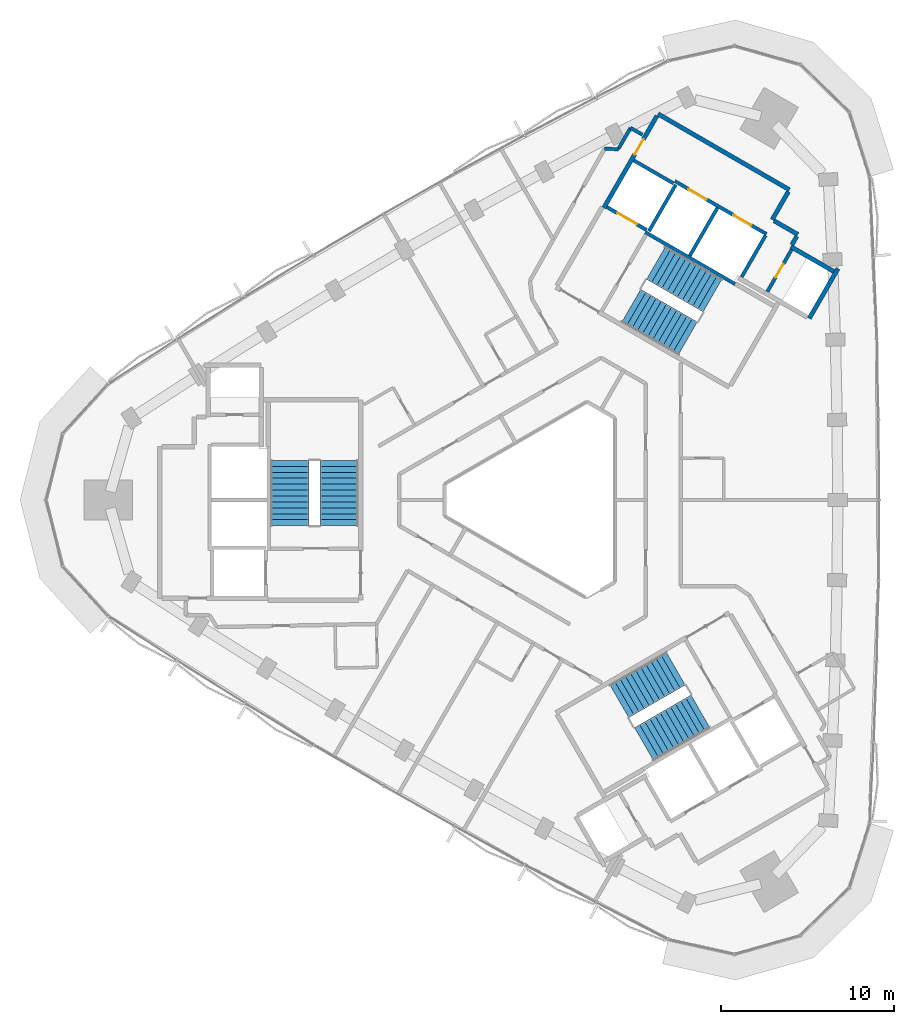
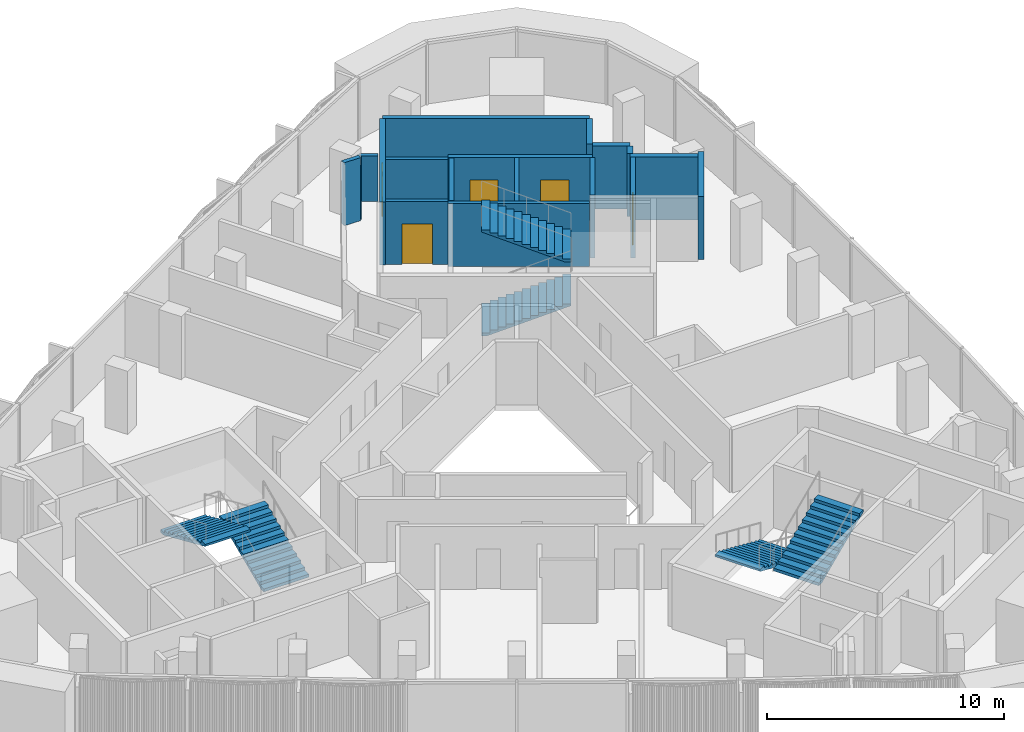
# One storey, part 11 of 16: 18 walls, 6 stair flights, 5 doors, 5 openings, 3 elements without a shape of their own.
"""IFC4 building model written with IfcOpenShell, lengths in metres."""

from ifc_helpers import new_model, si_unit, direction, frame, frame_2d, origin, place, context, subcontext, project, spatial, polyline, rectangle, outline, extrude, material, layer, layer_set, type_object, element, fill, aggregate, save


model = new_model("IFC4")

# Units and contexts
model_context = context("Model", 3, precision=1e-05, world=origin(), true_north=direction((0.0, 1.0)))
body_context = subcontext(model_context, "Body", "Model", "MODEL_VIEW")
ifc_project = project(units=[si_unit("LENGTHUNIT", "METRE"), si_unit("AREAUNIT", "SQUARE_METRE"), si_unit("VOLUMEUNIT", "CUBIC_METRE"), si_unit("PLANEANGLEUNIT", "RADIAN"), si_unit("MASSUNIT", "GRAM", prefix="KILO")], contexts=[model_context])

# Site, building, storey
site_placement = place(None, origin())
site = spatial("IfcSite", under=ifc_project, at=site_placement, CompositionType="ELEMENT")
building_placement = place(site_placement, origin())
building = spatial("IfcBuilding", under=site, at=building_placement, Name="Tamra Quay Hotel Tower", CompositionType="ELEMENT")
storey_placement = place(building_placement, frame((0.0, 0.0, 239.39990234375)))
storey = spatial("IfcBuildingStorey", under=building, at=storey_placement, Name="L60", CompositionType="ELEMENT", Elevation=239.39990234375)

# Wall, openings, doors
ifc_material_1 = material(Name="Concrete M70", Category="concrete")
ifc_layer_1 = layer(ifc_material_1, 0.199951171875)
ifc_layer_set_1 = layer_set([ifc_layer_1], Name="Concrete M70 core wall 200")
wall_type_1 = type_object("IfcWallType", Name="Concrete M70 core wall 200", PredefinedType="SHEAR", material=ifc_layer_set_1)
wall_1_placement = place(storey_placement, frame((12.552490234375, 15.341552734375, 0.0), z_axis=(0.0, 0.0, 1.0), x_axis=(-0.866030299012, 0.499991521122, 0.0)))
wall_1 = element("IfcWall", 1, at=wall_1_placement, inside=storey, type_object=wall_type_1, Name="CW2", PredefinedType="SHEAR", context=body_context, shape_type="SweptSolid", body=[
    extrude(rectangle(XDim=6.10009765625, YDim=0.199951171875, at=frame_2d((3.050048828125, 0.0))), origin(), (0.0, 0.0, 1.0), 3.25),
])
opening_1_placement = place(wall_1_placement, frame((1.0, 0.0, 0.0)))
opening_1 = element("IfcOpeningElement", 2, at=opening_1_placement, cuts=wall_1, Name="Opening LD", PredefinedType="OPENING", context=body_context, shape_type="SweptSolid", body=[
    extrude(rectangle(XDim=1.199951171875, YDim=2.10009765625, at=frame_2d((0.60009765625, 1.050048828125))), frame((0.0, 0.10986328125, 0.0), z_axis=(0.0, -1.0, 0.0), x_axis=(1.0, 0.0, 0.0)), (0.0, 0.0, 1.0), 0.219970703125),
])
opening_2_placement = place(wall_1_placement, frame((3.982177734375, 0.0, 0.0)))
opening_2 = element("IfcOpeningElement", 3, at=opening_2_placement, cuts=wall_1, Name="Opening LD", PredefinedType="OPENING", context=body_context, shape_type="SweptSolid", body=[
    extrude(rectangle(XDim=1.199951171875, YDim=2.10009765625, at=frame_2d((0.60009765625, 1.050048828125))), frame((0.0, 0.10986328125, 0.0), z_axis=(0.0, -1.0, 0.0), x_axis=(1.0, 0.0, 0.0)), (0.0, 0.0, 1.0), 0.219970703125),
])
ifc_material_2 = material(Name="Landing door LD 1200 double door sliding")
door_type_1 = type_object("IfcDoorType", Name="Landing door LD 1200 double door sliding", OperationType="DOUBLE_DOOR_SLIDING", PredefinedType="DOOR", material=ifc_material_2)
door_1_placement = place(opening_1_placement, origin())
door_1 = element("IfcDoor", 4, at=door_1_placement, inside=storey, type_object=door_type_1, Name="LD", OperationType="DOUBLE_DOOR_SLIDING", OverallHeight=2.10009765625, OverallWidth=1.199951171875, PredefinedType="DOOR", context=body_context, shape_type="SweptSolid", body=[
    extrude(rectangle(XDim=1.199951171875, YDim=2.10009765625, at=frame_2d((0.60009765625, 1.050048828125))), frame((0.0, 0.02490234375, 0.0), z_axis=(0.0, -1.0, 0.0), x_axis=(1.0, 0.0, 0.0)), (0.0, 0.0, 1.0), 0.050048828125),
])
fill(opening_1, door_1)
door_2_placement = place(opening_2_placement, origin())
door_2 = element("IfcDoor", 5, at=door_2_placement, inside=storey, type_object=door_type_1, Name="LD", OperationType="DOUBLE_DOOR_SLIDING", OverallHeight=2.10009765625, OverallWidth=1.199951171875, PredefinedType="DOOR", context=body_context, shape_type="SweptSolid", body=[
    extrude(rectangle(XDim=1.199951171875, YDim=2.10009765625, at=frame_2d((0.60009765625, 1.050048828125))), frame((0.0, 0.02490234375, 0.0), z_axis=(0.0, -1.0, 0.0), x_axis=(1.0, 0.0, 0.0)), (0.0, 0.0, 1.0), 0.050048828125),
])
fill(opening_2, door_2)

# Walls
wall_2_placement = place(storey_placement, frame((10.7431640625, 12.4599609375, 0.0), z_axis=(0.0, 0.0, 1.0), x_axis=(-0.866018848283, 0.500011354289, 0.0)))
element("IfcWall", 6, at=wall_2_placement, inside=storey, type_object=wall_type_1, Name="CW2", PredefinedType="SHEAR", context=body_context, shape_type="SweptSolid", body=[
    extrude(rectangle(XDim=5.973876953125, YDim=0.199951171875, at=frame_2d((2.98681640625, 0.0))), origin(), (0.0, 0.0, 1.0), 3.25),
])
wall_3_placement = place(storey_placement, frame((8.131591796875, 14.08447265625, 0.0), z_axis=(0.0, 0.0, 1.0), x_axis=(0.500030834389, 0.86600760081, 0.0)))
element("IfcWall", 7, at=wall_3_placement, inside=storey, type_object=wall_type_1, Name="CW2", PredefinedType="SHEAR", context=body_context, shape_type="SweptSolid", body=[
    extrude(rectangle(XDim=3.197998046875, YDim=0.199951171875, at=frame_2d((1.59912109375, 0.0))), origin(), (0.0, 0.0, 1.0), 3.25),
])

# Wall, opening, door
wall_4_placement = place(storey_placement, frame((14.0078125, 14.442138671875, 0.0), z_axis=(0.0, 0.0, 1.0), x_axis=(-0.499986818241, -0.866033014143, 0.0)))
wall_4 = element("IfcWall", 8, at=wall_4_placement, inside=storey, type_object=wall_type_1, Name="CW2", PredefinedType="SHEAR", context=body_context, shape_type="SweptSolid", body=[
    extrude(rectangle(XDim=2.7978515625, YDim=0.199951171875, at=frame_2d((1.39892578125, 0.0))), origin(), (0.0, 0.0, 1.0), 3.25),
])
opening_3_placement = place(wall_4_placement, frame((0.948974609375, 0.0, 0.0)))
opening_3 = element("IfcOpeningElement", 9, at=opening_3_placement, cuts=wall_4, Name="Opening D1", PredefinedType="OPENING", context=body_context, shape_type="SweptSolid", body=[
    extrude(rectangle(XDim=0.89990234375, YDim=2.10009765625, at=frame_2d((0.449951171875, 1.050048828125))), frame((0.0, 0.10986328125, 0.0), z_axis=(0.0, -1.0, 0.0), x_axis=(1.0, 0.0, 0.0)), (0.0, 0.0, 1.0), 0.219970703125),
])
ifc_material_3 = material(Name="Core door D1 900x2100 RH")
door_type_2 = type_object("IfcDoorType", Name="Core door D1 900x2100 RH", OperationType="NOTDEFINED", PredefinedType="DOOR", material=ifc_material_3)
door_3_placement = place(opening_3_placement, origin())
door_3 = element("IfcDoor", 10, at=door_3_placement, inside=storey, type_object=door_type_2, Name="D1", OperationType="SINGLE_SWING_RIGHT", OverallHeight=2.10009765625, OverallWidth=0.89990234375, PredefinedType="DOOR", context=body_context, shape_type="SweptSolid", body=[
    extrude(rectangle(XDim=0.89990234375, YDim=2.10009765625, at=frame_2d((0.449951171875, 1.050048828125))), frame((0.0, 0.02490234375, 0.0), z_axis=(0.0, -1.0, 0.0), x_axis=(1.0, 0.0, 0.0)), (0.0, 0.0, 1.0), 0.050048828125),
])
fill(opening_3, door_3)

# Walls
wall_5_placement = place(storey_placement, frame((12.50244140625, 15.2548828125, 0.0), z_axis=(0.0, 0.0, 1.0), x_axis=(-0.499965018551, -0.866045599391, 0.0)))
element("IfcWall", 11, at=wall_5_placement, inside=storey, type_object=wall_type_1, Name="CW2", PredefinedType="SHEAR", context=body_context, shape_type="SweptSolid", body=[
    extrude(rectangle(XDim=2.759033203125, YDim=0.199951171875, at=frame_2d((1.37939453125, 0.0))), origin(), (0.0, 0.0, 1.0), 3.25),
])
wall_6_placement = place(storey_placement, frame((7.324462890625, 18.1865234375, 0.0), z_axis=(0.0, 0.0, 1.0), x_axis=(-0.499967891604, -0.866043940782, 0.0)))
element("IfcWall", 12, at=wall_6_placement, inside=storey, type_object=wall_type_1, Name="CW2", PredefinedType="SHEAR", context=body_context, shape_type="SweptSolid", body=[
    extrude(rectangle(XDim=3.099853515625, YDim=0.199951171875, at=frame_2d((1.5498046875, 0.0))), origin(), (0.0, 0.0, 1.0), 3.25),
])

# Wall, opening, door
wall_7_placement = place(storey_placement, frame((5.646240234375, 15.575927734375, 0.0), z_axis=(0.0, 0.0, 1.0), x_axis=(-0.866018407898, 0.500012117035, 0.0)))
wall_7 = element("IfcWall", 13, at=wall_7_placement, inside=storey, type_object=wall_type_1, Name="CW2", PredefinedType="SHEAR", context=body_context, shape_type="SweptSolid", body=[
    extrude(rectangle(XDim=2.65087890625, YDim=0.199951171875, at=frame_2d((1.325439453125, 0.0))), origin(), (0.0, 0.0, 1.0), 3.25),
])
opening_4_placement = place(wall_7_placement, frame((0.65185546875, 0.0, 0.0)))
opening_4 = element("IfcOpeningElement", 14, at=opening_4_placement, cuts=wall_7, Name="Opening LD", PredefinedType="OPENING", context=body_context, shape_type="SweptSolid", body=[
    extrude(rectangle(XDim=1.300048828125, YDim=2.10009765625, at=frame_2d((0.64990234375, 1.050048828125))), frame((0.0, 0.10986328125, 0.0), z_axis=(0.0, -1.0, 0.0), x_axis=(1.0, 0.0, 0.0)), (0.0, 0.0, 1.0), 0.219970703125),
])
ifc_material_4 = material(Name="Landing door LD 1300 sliding to left")
door_type_3 = type_object("IfcDoorType", Name="Landing door LD 1300 sliding to left", OperationType="NOTDEFINED", PredefinedType="DOOR", material=ifc_material_4)
door_4_placement = place(opening_4_placement, origin())
door_4 = element("IfcDoor", 15, at=door_4_placement, inside=storey, type_object=door_type_3, Name="LD", OperationType="SLIDING_TO_LEFT", OverallHeight=2.10009765625, OverallWidth=1.300048828125, PredefinedType="DOOR", context=body_context, shape_type="SweptSolid", body=[
    extrude(rectangle(XDim=1.300048828125, YDim=2.10009765625, at=frame_2d((0.64990234375, 1.050048828125))), frame((0.0, 0.02490234375, 0.0), z_axis=(0.0, -1.0, 0.0), x_axis=(1.0, 0.0, 0.0)), (0.0, 0.0, 1.0), 0.050048828125),
])
fill(opening_4, door_4)

# Walls
wall_8_placement = place(storey_placement, frame((7.1962890625, 18.260498046875, 0.0), z_axis=(0.0, 0.0, 1.0), x_axis=(-0.866018407898, 0.500012117035, 0.0)))
element("IfcWall", 16, at=wall_8_placement, inside=storey, type_object=wall_type_1, Name="CW2", PredefinedType="SHEAR", context=body_context, shape_type="SweptSolid", body=[
    extrude(rectangle(XDim=2.65087890625, YDim=0.199951171875, at=frame_2d((1.325439453125, 0.0))), origin(), (0.0, 0.0, 1.0), 3.25),
])
ifc_layer_2 = layer(ifc_material_1, 0.25)
ifc_layer_set_2 = layer_set([ifc_layer_2], Name="Concrete M70 core wall 250")
wall_type_2 = type_object("IfcWallType", Name="Concrete M70 core wall 250", PredefinedType="SHEAR", material=ifc_layer_set_2)
wall_9_placement = place(storey_placement, frame((6.303955078125, 22.268798828125, 0.0), z_axis=(0.0, 0.0, 1.0), x_axis=(0.866022959057, -0.500004234368, 0.0)))
element("IfcWall", 17, at=wall_9_placement, inside=storey, type_object=wall_type_2, Name="CW1", PredefinedType="SHEAR", context=body_context, shape_type="SweptSolid", body=[
    extrude(rectangle(XDim=8.75, YDim=0.25, at=frame_2d((4.375, 0.0))), origin(), (0.0, 0.0, 1.0), 3.25),
])

# Wall, opening, door
wall_10_placement = place(storey_placement, frame((3.178955078125, 16.856201171875, 0.0), z_axis=(0.0, 0.0, 1.0), x_axis=(0.500001955336, 0.866024274868, 0.0)))
wall_10 = element("IfcWall", 18, at=wall_10_placement, inside=storey, type_object=wall_type_2, Name="CW1", PredefinedType="SHEAR", context=body_context, shape_type="SweptSolid", body=[
    extrude(rectangle(XDim=6.12451171875, YDim=0.25, at=frame_2d((3.062255859375, 0.0))), origin(), (0.0, 0.0, 1.0), 3.25),
])
opening_5_placement = place(wall_10_placement, frame((3.562744140625, 0.0, 0.0)))
opening_5 = element("IfcOpeningElement", 19, at=opening_5_placement, cuts=wall_10, Name="Opening FD3", PredefinedType="OPENING", context=body_context, shape_type="SweptSolid", body=[
    extrude(rectangle(XDim=1.0, YDim=2.10009765625, at=frame_2d((0.5, 1.050048828125))), frame((0.0, 0.135009765625, 0.0), z_axis=(0.0, -1.0, 0.0), x_axis=(1.0, 0.0, 0.0)), (0.0, 0.0, 1.0), 0.27001953125),
])
ifc_material_5 = material(Name="Core door FD3 1000x2100 LH")
door_type_4 = type_object("IfcDoorType", Name="Core door FD3 1000x2100 LH", OperationType="NOTDEFINED", PredefinedType="DOOR", material=ifc_material_5)
door_5_placement = place(opening_5_placement, origin())
door_5 = element("IfcDoor", 20, at=door_5_placement, inside=storey, type_object=door_type_4, Name="FD3", OperationType="SINGLE_SWING_LEFT", OverallHeight=2.10009765625, OverallWidth=1.0, PredefinedType="DOOR", context=body_context, shape_type="SweptSolid", body=[
    extrude(rectangle(XDim=1.0, YDim=2.10009765625, at=frame_2d((0.5, 1.050048828125))), frame((0.0, 0.02490234375, 0.0), z_axis=(0.0, -1.0, 0.0), x_axis=(1.0, 0.0, 0.0)), (0.0, 0.0, 1.0), 0.050048828125),
])
fill(opening_5, door_5)

# Walls
wall_11_placement = place(storey_placement, frame((16.68359375, 13.3466796875, 0.0), z_axis=(0.0, 0.0, 1.0), x_axis=(-0.499998874531, -0.866026053573, 0.0)))
element("IfcWall", 21, at=wall_11_placement, inside=storey, type_object=wall_type_2, Name="CW1", PredefinedType="SHEAR", context=body_context, shape_type="SweptSolid", body=[
    extrude(rectangle(XDim=3.31298828125, YDim=0.25, at=frame_2d((1.656494140625, 0.0))), origin(), (0.0, 0.0, 1.0), 3.25),
])
wall_12_placement = place(storey_placement, frame((13.962646484375, 14.61376953125, 0.0), z_axis=(0.0, 0.0, 1.0), x_axis=(0.866042235819, -0.499970844928, 0.0)))
element("IfcWall", 22, at=wall_12_placement, inside=storey, type_object=wall_type_2, Name="CW1", PredefinedType="SHEAR", context=body_context, shape_type="SweptSolid", body=[
    extrude(rectangle(XDim=2.864501953125, YDim=0.25, at=frame_2d((1.43212890625, 0.0))), origin(), (0.0, 0.0, 1.0), 3.25),
])
wall_13_placement = place(storey_placement, frame((13.819091796875, 17.78515625, 0.0), z_axis=(0.0, 0.0, 1.0), x_axis=(-0.500039802285, -0.866002422705, 0.0)))
element("IfcWall", 23, at=wall_13_placement, inside=storey, type_object=wall_type_2, Name="CW1", PredefinedType="SHEAR", context=body_context, shape_type="SweptSolid", body=[
    extrude(rectangle(XDim=1.864501953125, YDim=0.25, at=frame_2d((0.93212890625, 0.0))), origin(), (0.0, 0.0, 1.0), 3.25),
])
wall_14_placement = place(storey_placement, frame((12.995361328125, 16.107666015625, 0.0), z_axis=(0.0, 0.0, 1.0), x_axis=(0.866044474677, -0.49996696679, 0.0)))
element("IfcWall", 24, at=wall_14_placement, inside=storey, type_object=wall_type_2, Name="CW1", PredefinedType="SHEAR", context=body_context, shape_type="SweptSolid", body=[
    extrude(rectangle(XDim=1.58447265625, YDim=0.25, at=frame_2d((0.792236328125, 0.0))), origin(), (0.0, 0.0, 1.0), 3.25),
])
wall_15_placement = place(storey_placement, frame((14.304931640625, 15.206787109375, 0.0), z_axis=(0.0, 0.0, 1.0), x_axis=(-0.499848422343, -0.866112899501, 0.0)))
element("IfcWall", 25, at=wall_15_placement, inside=storey, type_object=wall_type_2, Name="CW1", PredefinedType="SHEAR", context=body_context, shape_type="SweptSolid", body=[
    extrude(rectangle(XDim=0.559326171875, YDim=0.25, at=frame_2d((0.27978515625, 0.0))), origin(), (0.0, 0.0, 1.0), 3.25),
])
ifc_material_6 = material(Name="Partition corridor wall")
ifc_layer_3 = layer(ifc_material_6, 0.199951171875)
ifc_layer_set_3 = layer_set([ifc_layer_3], Name="Partition corridor wall")
wall_type_3 = type_object("IfcWallType", Name="Partition corridor wall", PredefinedType="PARTITIONING", material=ifc_layer_set_3)
wall_16_placement = place(storey_placement, frame((3.218994140625, 20.256103515625, 0.0), z_axis=(0.0, 0.0, 1.0), x_axis=(0.99982237262, -0.0188473661, 0.0)))
element("IfcWall", 26, at=wall_16_placement, inside=storey, type_object=wall_type_3, Name="W-C", PredefinedType="PARTITIONING", context=body_context, shape_type="SweptSolid", body=[
    extrude(rectangle(XDim=0.80322265625, YDim=0.199951171875, at=frame_2d((0.401611328125, 0.0))), origin(), (0.0, 0.0, 1.0), 3.25),
])
wall_17_placement = place(storey_placement, frame((4.01611328125, 20.256103515625, 0.0), z_axis=(0.0, 0.0, 1.0), x_axis=(0.500135180047, 0.865947343479, 0.0)))
element("IfcWall", 27, at=wall_17_placement, inside=storey, type_object=wall_type_3, Name="W-C", PredefinedType="PARTITIONING", context=body_context, shape_type="SweptSolid", body=[
    extrude(rectangle(XDim=1.3994140625, YDim=0.199951171875, at=frame_2d((0.69970703125, 0.0))), origin(), (0.0, 0.0, 1.0), 2.35009765625),
])
wall_18_placement = place(storey_placement, frame((4.716064453125, 21.468017578125, 0.0), z_axis=(0.0, 0.0, 1.0), x_axis=(0.865912682783, -0.500195187698, 0.0)))
element("IfcWall", 28, at=wall_18_placement, inside=storey, type_object=wall_type_3, Name="W-C", PredefinedType="PARTITIONING", context=body_context, shape_type="SweptSolid", body=[
    extrude(rectangle(XDim=0.789794921875, YDim=0.199951171875, at=frame_2d((0.39501953125, 0.0))), origin(), (0.0, 0.0, 1.0), 2.35009765625),
])

# Stair, stair flights
ifc_material_7 = material(Name="Exit stair 2200 24 risers 150.0 going 342")
stair_type = type_object("IfcStairType", Name="Exit stair 2200 24 risers 150.0 going 342", PredefinedType="HALF_TURN_STAIR", material=ifc_material_7)
stair_1_placement = place(storey_placement, origin())
stair_1 = element("IfcStair", 29, at=stair_1_placement, inside=storey, type_object=stair_type, Name="L60 Exit stair ST3", PredefinedType="HALF_TURN_STAIR")
ifc_material_8 = material(Name="Exit stair flight 2200 12 risers 150.0")
stair_flight_type = type_object("IfcStairFlightType", Name="Exit stair flight 2200 12 risers 150.0", PredefinedType="STRAIGHT", material=ifc_material_8)
stair_flight_1_placement = place(storey_placement, frame((-12.082275390625, -1.47998046875, 0.0), z_axis=(0.0, 0.0, 1.0), x_axis=(0.0, 1.0, 0.0)))
stair_flight_1 = element("IfcStairFlight", 30, at=stair_flight_1_placement, type_object=stair_flight_type, Name="ST3 flight 1", NumberOfRisers=12, NumberOfTreads=11, PredefinedType="STRAIGHT", RiserHeight=0.15, TreadLength=0.342, context=body_context, shape_type="SweptSolid", body=[
    extrude(outline(polyline([(0.0, 0.0), (0.0, 0.14990234375), (0.342041015625, 0.14990234375), (0.342041015625, 0.300048828125), (0.68408203125, 0.300048828125), (0.68408203125, 0.449951171875), (1.02587890625, 0.449951171875), (1.02587890625, 0.60009765625), (1.367919921875, 0.60009765625), (1.367919921875, 0.75), (1.7099609375, 0.75), (1.7099609375, 0.89990234375), (2.052001953125, 0.89990234375), (2.052001953125, 1.050048828125), (2.39404296875, 1.050048828125), (2.39404296875, 1.199951171875), (2.736083984375, 1.199951171875), (2.736083984375, 1.35009765625), (3.077880859375, 1.35009765625), (3.077880859375, 1.5), (3.419921875, 1.5), (3.419921875, 1.64990234375), (3.761962890625, 1.64990234375), (3.761962890625, 1.800048828125), (3.761962890625, 1.540771484375), (0.249267578125, 0.0), (0.0, 0.0)])), frame((0.0, 1.10009765625, 0.0), z_axis=(0.0, -1.0, 0.0), x_axis=(1.0, 0.0, 0.0)), (0.0, 0.0, 1.0), 2.199951171875),
])
stair_flight_2_placement = place(storey_placement, frame((-14.94140625, 2.281982421875, 1.800048828125), z_axis=(0.0, 0.0, 1.0), x_axis=(0.0, -1.0, 0.0)))
stair_flight_2 = element("IfcStairFlight", 31, at=stair_flight_2_placement, type_object=stair_flight_type, Name="ST3 flight 2", NumberOfRisers=12, NumberOfTreads=11, PredefinedType="STRAIGHT", RiserHeight=0.15, TreadLength=0.342, context=body_context, shape_type="SweptSolid", body=[
    extrude(outline(polyline([(0.0, 0.0), (0.0, 0.14990234375), (0.342041015625, 0.14990234375), (0.342041015625, 0.300048828125), (0.68408203125, 0.300048828125), (0.68408203125, 0.449951171875), (1.02587890625, 0.449951171875), (1.02587890625, 0.60009765625), (1.367919921875, 0.60009765625), (1.367919921875, 0.75), (1.7099609375, 0.75), (1.7099609375, 0.89990234375), (2.052001953125, 0.89990234375), (2.052001953125, 1.050048828125), (2.39404296875, 1.050048828125), (2.39404296875, 1.199951171875), (2.736083984375, 1.199951171875), (2.736083984375, 1.35009765625), (3.077880859375, 1.35009765625), (3.077880859375, 1.5), (3.419921875, 1.5), (3.419921875, 1.64990234375), (3.761962890625, 1.64990234375), (3.761962890625, 1.800048828125), (3.761962890625, 1.540771484375), (0.249267578125, 0.0), (0.0, 0.0)])), frame((0.0, 1.10009765625, 0.0), z_axis=(0.0, -1.0, 0.0), x_axis=(1.0, 0.0, 0.0)), (0.0, 0.0, 1.0), 2.199951171875),
])
aggregate(stair_1, [stair_flight_1, stair_flight_2])

stair_2_placement = place(storey_placement, origin())
stair_2 = element("IfcStair", 32, at=stair_2_placement, inside=storey, type_object=stair_type, Name="L60 Exit stair ST1", PredefinedType="HALF_TURN_STAIR")
stair_flight_3_placement = place(storey_placement, frame((4.75927734375, 11.20361328125, 0.0), z_axis=(0.0, 0.0, 1.0), x_axis=(0.866025403784, -0.5, 0.0)))
stair_flight_3 = element("IfcStairFlight", 33, at=stair_flight_3_placement, type_object=stair_flight_type, Name="ST1 flight 1", NumberOfRisers=12, NumberOfTreads=11, PredefinedType="STRAIGHT", RiserHeight=0.15, TreadLength=0.342, context=body_context, shape_type="SweptSolid", body=[
    extrude(outline(polyline([(0.0, 0.0), (0.0, 0.14990234375), (0.342041015625, 0.14990234375), (0.342041015625, 0.300048828125), (0.68408203125, 0.300048828125), (0.68408203125, 0.449951171875), (1.02587890625, 0.449951171875), (1.02587890625, 0.60009765625), (1.367919921875, 0.60009765625), (1.367919921875, 0.75), (1.7099609375, 0.75), (1.7099609375, 0.89990234375), (2.052001953125, 0.89990234375), (2.052001953125, 1.050048828125), (2.39404296875, 1.050048828125), (2.39404296875, 1.199951171875), (2.736083984375, 1.199951171875), (2.736083984375, 1.35009765625), (3.077880859375, 1.35009765625), (3.077880859375, 1.5), (3.419921875, 1.5), (3.419921875, 1.64990234375), (3.761962890625, 1.64990234375), (3.761962890625, 1.800048828125), (3.761962890625, 1.540771484375), (0.249267578125, 0.0), (0.0, 0.0)])), frame((0.0, 1.10009765625, 0.0), z_axis=(0.0, -1.0, 0.0), x_axis=(1.0, 0.0, 0.0)), (0.0, 0.0, 1.0), 2.199951171875),
])
stair_flight_4_placement = place(storey_placement, frame((9.44677734375, 11.798583984375, 1.800048828125), z_axis=(0.0, 0.0, 1.0), x_axis=(-0.866025403784, 0.5, 0.0)))
stair_flight_4 = element("IfcStairFlight", 34, at=stair_flight_4_placement, type_object=stair_flight_type, Name="ST1 flight 2", NumberOfRisers=12, NumberOfTreads=11, PredefinedType="STRAIGHT", RiserHeight=0.15, TreadLength=0.342, context=body_context, shape_type="SweptSolid", body=[
    extrude(outline(polyline([(0.0, 0.0), (0.0, 0.14990234375), (0.342041015625, 0.14990234375), (0.342041015625, 0.300048828125), (0.68408203125, 0.300048828125), (0.68408203125, 0.449951171875), (1.02587890625, 0.449951171875), (1.02587890625, 0.60009765625), (1.367919921875, 0.60009765625), (1.367919921875, 0.75), (1.7099609375, 0.75), (1.7099609375, 0.89990234375), (2.052001953125, 0.89990234375), (2.052001953125, 1.050048828125), (2.39404296875, 1.050048828125), (2.39404296875, 1.199951171875), (2.736083984375, 1.199951171875), (2.736083984375, 1.35009765625), (3.077880859375, 1.35009765625), (3.077880859375, 1.5), (3.419921875, 1.5), (3.419921875, 1.64990234375), (3.761962890625, 1.64990234375), (3.761962890625, 1.800048828125), (3.761962890625, 1.540771484375), (0.249267578125, 0.0), (0.0, 0.0)])), frame((0.0, 1.10009765625, 0.0), z_axis=(0.0, -1.0, 0.0), x_axis=(1.0, 0.0, 0.0)), (0.0, 0.0, 1.0), 2.199951171875),
])
aggregate(stair_2, [stair_flight_3, stair_flight_4])

stair_3_placement = place(storey_placement, origin())
stair_3 = element("IfcStair", 35, at=stair_3_placement, inside=storey, type_object=stair_type, Name="L60 Exit stair ST2", PredefinedType="HALF_TURN_STAIR")
stair_flight_5_placement = place(storey_placement, frame((7.322998046875, -9.7236328125, 0.0), z_axis=(0.0, 0.0, 1.0), x_axis=(-0.866025403784, -0.5, 0.0)))
stair_flight_5 = element("IfcStairFlight", 36, at=stair_flight_5_placement, type_object=stair_flight_type, Name="ST2 flight 1", NumberOfRisers=12, NumberOfTreads=11, PredefinedType="STRAIGHT", RiserHeight=0.15, TreadLength=0.342, context=body_context, shape_type="SweptSolid", body=[
    extrude(outline(polyline([(0.0, 0.0), (0.0, 0.14990234375), (0.342041015625, 0.14990234375), (0.342041015625, 0.300048828125), (0.68408203125, 0.300048828125), (0.68408203125, 0.449951171875), (1.02587890625, 0.449951171875), (1.02587890625, 0.60009765625), (1.367919921875, 0.60009765625), (1.367919921875, 0.75), (1.7099609375, 0.75), (1.7099609375, 0.89990234375), (2.052001953125, 0.89990234375), (2.052001953125, 1.050048828125), (2.39404296875, 1.050048828125), (2.39404296875, 1.199951171875), (2.736083984375, 1.199951171875), (2.736083984375, 1.35009765625), (3.077880859375, 1.35009765625), (3.077880859375, 1.5), (3.419921875, 1.5), (3.419921875, 1.64990234375), (3.761962890625, 1.64990234375), (3.761962890625, 1.800048828125), (3.761962890625, 1.540771484375), (0.249267578125, 0.0), (0.0, 0.0)])), frame((0.0, 1.10009765625, 0.0), z_axis=(0.0, -1.0, 0.0), x_axis=(1.0, 0.0, 0.0)), (0.0, 0.0, 1.0), 2.199951171875),
])
stair_flight_6_placement = place(storey_placement, frame((5.494384765625, -14.08056640625, 1.800048828125), z_axis=(0.0, 0.0, 1.0), x_axis=(0.866025403784, 0.5, 0.0)))
stair_flight_6 = element("IfcStairFlight", 37, at=stair_flight_6_placement, type_object=stair_flight_type, Name="ST2 flight 2", NumberOfRisers=12, NumberOfTreads=11, PredefinedType="STRAIGHT", RiserHeight=0.15, TreadLength=0.342, context=body_context, shape_type="SweptSolid", body=[
    extrude(outline(polyline([(0.0, 0.0), (0.0, 0.14990234375), (0.342041015625, 0.14990234375), (0.342041015625, 0.300048828125), (0.68408203125, 0.300048828125), (0.68408203125, 0.449951171875), (1.02587890625, 0.449951171875), (1.02587890625, 0.60009765625), (1.367919921875, 0.60009765625), (1.367919921875, 0.75), (1.7099609375, 0.75), (1.7099609375, 0.89990234375), (2.052001953125, 0.89990234375), (2.052001953125, 1.050048828125), (2.39404296875, 1.050048828125), (2.39404296875, 1.199951171875), (2.736083984375, 1.199951171875), (2.736083984375, 1.35009765625), (3.077880859375, 1.35009765625), (3.077880859375, 1.5), (3.419921875, 1.5), (3.419921875, 1.64990234375), (3.761962890625, 1.64990234375), (3.761962890625, 1.800048828125), (3.761962890625, 1.540771484375), (0.249267578125, 0.0), (0.0, 0.0)])), frame((0.0, 1.10009765625, 0.0), z_axis=(0.0, -1.0, 0.0), x_axis=(1.0, 0.0, 0.0)), (0.0, 0.0, 1.0), 2.199951171875),
])
aggregate(stair_3, [stair_flight_5, stair_flight_6])

save(model, "model.ifc")
